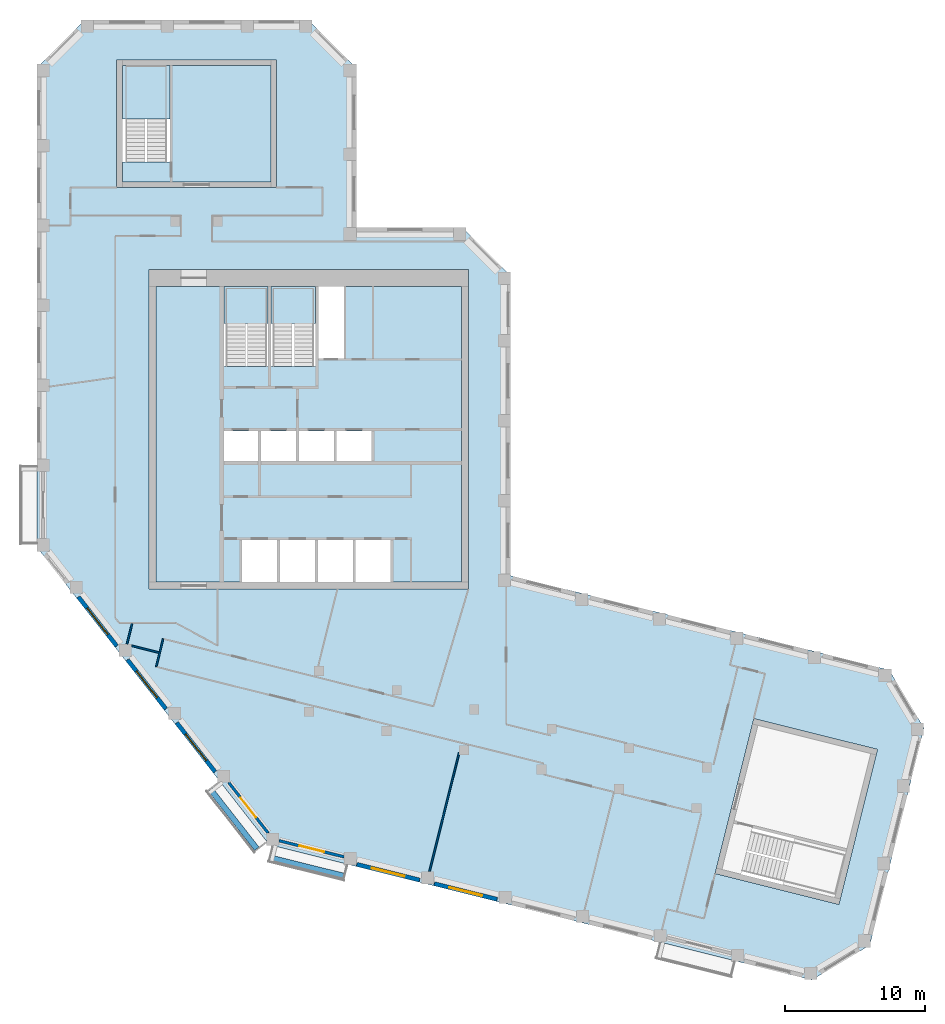
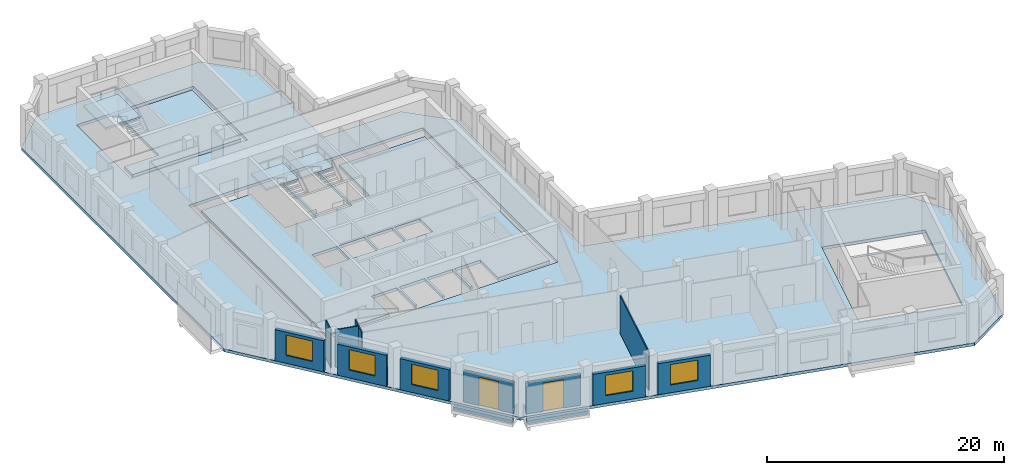
# One storey, part 2 of 8: 13 walls, 6 slabs, 5 windows, 2 doors, 7 openings, 3 elements without a shape of their own.
"""IFC4 building model written with IfcOpenShell, lengths in metres."""

from ifc_helpers import new_model, si_unit, direction, frame, frame_2d, origin, place, context, subcontext, project, spatial, polyline, rectangle, outline, extrude, material, layer, layer_set, type_object, element, fill, aggregate, save


model = new_model("IFC4")

# Units and contexts
model_context = context("Model", 3, precision=1e-05, world=origin(), true_north=direction((0.0, 1.0)))
body_context = subcontext(model_context, "Body", "Model", "MODEL_VIEW")
ifc_project = project(units=[si_unit("LENGTHUNIT", "METRE"), si_unit("AREAUNIT", "SQUARE_METRE"), si_unit("VOLUMEUNIT", "CUBIC_METRE"), si_unit("PLANEANGLEUNIT", "RADIAN"), si_unit("MASSUNIT", "GRAM", prefix="KILO")], contexts=[model_context])

# Site, building, storey
site_placement = place(None, origin())
site = spatial("IfcSite", under=ifc_project, at=site_placement, CompositionType="ELEMENT")
building_placement = place(site_placement, origin())
building = spatial("IfcBuilding", under=site, at=building_placement, Name="Meshkara Civic Tower", CompositionType="ELEMENT")
storey_placement = place(building_placement, frame((0.0, 0.0, 362.39990234375)))
storey = spatial("IfcBuildingStorey", under=building, at=storey_placement, Name="L83", CompositionType="ELEMENT", Elevation=362.39990234375)

# Slabs
ifc_material_1 = material(Name="Concrete C40/50", Category="concrete")
ifc_layer_1 = layer(ifc_material_1, 0.300048828125)
ifc_layer_set_1 = layer_set([ifc_layer_1], Name="Core floor slab 300 C40/50")
slab_type_1 = type_object("IfcSlabType", Name="Core floor slab 300 C40/50", PredefinedType="FLOOR", material=ifc_layer_set_1)
slab_1_placement = place(storey_placement, frame((0.0, 0.0, -0.2998046875)))
element("IfcSlab", 1, at=slab_1_placement, inside=storey, type_object=slab_type_1, Name="Core floor K", PredefinedType="FLOOR", context=body_context, shape_type="SweptSolid", body=[
    extrude(outline(polyline([(8.5, 35.699951171875), (13.35009765625, 35.699951171875), (13.35009765625, 30.00146484375), (16.5, 30.00146484375), (16.5, 35.699951171875), (16.699951171875, 35.699951171875), (16.699951171875, 30.00146484375), (19.89990234375, 30.00146484375), (19.89990234375, 35.699951171875), (20.10009765625, 35.699951171875), (20.10009765625, 30.574951171875), (21.925048828125, 30.574951171875), (21.925048828125, 35.699951171875), (30.300048828125, 35.699951171875), (30.300048828125, 14.60009765625), (25.25, 14.60009765625), (25.25, 17.60009765625), (22.75, 17.60009765625), (22.75, 14.60009765625), (22.550048828125, 14.60009765625), (22.550048828125, 17.60009765625), (20.050048828125, 17.60009765625), (20.050048828125, 14.60009765625), (19.85009765625, 14.60009765625), (19.85009765625, 17.60009765625), (17.35009765625, 17.60009765625), (17.35009765625, 14.60009765625), (17.14990234375, 14.60009765625), (17.14990234375, 17.60009765625), (14.64990234375, 17.60009765625), (14.64990234375, 14.60009765625), (8.5, 14.60009765625), (8.5, 35.699951171875)]), holes=[polyline([(13.35009765625, 23.25), (15.800048828125, 23.25), (15.800048828125, 25.39990234375), (13.35009765625, 25.39990234375), (13.35009765625, 23.25)]), polyline([(18.5, 23.25), (18.5, 25.39990234375), (16.0, 25.39990234375), (16.0, 23.25), (18.5, 23.25)]), polyline([(18.699951171875, 23.25), (21.199951171875, 23.25), (21.199951171875, 25.39990234375), (18.699951171875, 25.39990234375), (18.699951171875, 23.25)]), polyline([(23.89990234375, 23.25), (23.89990234375, 25.39990234375), (21.39990234375, 25.39990234375), (21.39990234375, 23.25), (23.89990234375, 23.25)])]), origin(), (0.0, 0.0, 1.0), 0.2998046875),
])
slab_2_placement = place(storey_placement, frame((0.0, 0.0, -0.2998046875)))
element("IfcSlab", 2, at=slab_2_placement, inside=storey, type_object=slab_type_1, Name="Core floor EA", PredefinedType="FLOOR", context=body_context, shape_type="SweptSolid", body=[
    extrude(outline(polyline([(16.699951171875, 43.169921875), (16.699951171875, 51.469970703125), (9.5, 51.469970703125), (9.5, 44.571533203125), (6.10009765625, 44.571533203125), (6.10009765625, 43.169921875), (16.699951171875, 43.169921875)])), origin(), (0.0, 0.0, 1.0), 0.2998046875),
])

# Stair, slab
ifc_material_2 = material(Name="Precast concrete C40/50", Category="concrete")
stair_type = type_object("IfcStairType", Name="Exit stair half-turn 24 risers precast", PredefinedType="HALF_TURN_STAIR", material=ifc_material_2)
stair_1_placement = place(storey_placement, origin())
stair_1 = element("IfcStair", 3, at=stair_1_placement, inside=storey, type_object=stair_type, Name="L83 exit stair 1", PredefinedType="HALF_TURN_STAIR")
ifc_material_3 = material(Name="Precast concrete C40/50", Category="concrete")
ifc_layer_2 = layer(ifc_material_3, 0.199951171875)
ifc_layer_set_2 = layer_set([ifc_layer_2], Name="Exit stair landing 200")
slab_type_2 = type_object("IfcSlabType", Name="Exit stair landing 200", PredefinedType="LANDING", material=ifc_layer_set_2)
slab_3_placement = place(storey_placement, frame((0.0, 0.0, 1.900146484375)))
slab_3 = element("IfcSlab", 4, at=slab_3_placement, type_object=slab_type_2, Name="ST1 landing 1", PredefinedType="LANDING", context=body_context, shape_type="SweptSolid", body=[
    extrude(outline(polyline([(16.5, 33.07861328125), (16.5, 35.699951171875), (13.35009765625, 35.699951171875), (13.35009765625, 33.07861328125), (16.5, 33.07861328125)])), origin(), (0.0, 0.0, 1.0), 0.199951171875),
])
aggregate(stair_1, [slab_3])

stair_2_placement = place(storey_placement, origin())
stair_2 = element("IfcStair", 5, at=stair_2_placement, inside=storey, type_object=stair_type, Name="L83 exit stair 2", PredefinedType="HALF_TURN_STAIR")
slab_4_placement = place(storey_placement, frame((0.0, 0.0, 1.900146484375)))
slab_4 = element("IfcSlab", 6, at=slab_4_placement, type_object=slab_type_2, Name="ST2 landing 1", PredefinedType="LANDING", context=body_context, shape_type="SweptSolid", body=[
    extrude(outline(polyline([(19.89990234375, 33.07861328125), (19.89990234375, 35.699951171875), (16.699951171875, 35.699951171875), (16.699951171875, 33.07861328125), (19.89990234375, 33.07861328125)])), origin(), (0.0, 0.0, 1.0), 0.199951171875),
])
aggregate(stair_2, [slab_4])

stair_3_placement = place(storey_placement, origin())
stair_3 = element("IfcStair", 7, at=stair_3_placement, inside=storey, type_object=stair_type, Name="L83 exit stair A from L80", PredefinedType="HALF_TURN_STAIR")
slab_5_placement = place(storey_placement, frame((0.0, 0.0, 1.900146484375)))
slab_5 = element("IfcSlab", 8, at=slab_5_placement, type_object=slab_type_2, Name="ESA6 landing 1", PredefinedType="LANDING", context=body_context, shape_type="SweptSolid", body=[
    extrude(outline(polyline([(9.5, 47.6484375), (9.5, 51.469970703125), (6.10009765625, 51.469970703125), (6.10009765625, 47.6484375), (9.5, 47.6484375)])), origin(), (0.0, 0.0, 1.0), 0.199951171875),
])
aggregate(stair_3, [slab_5])

# Slab
ifc_material_4 = material(Name="Concrete C50", Category="concrete")
ifc_layer_3 = layer(ifc_material_4, 0.300048828125)
ifc_layer_set_3 = layer_set([ifc_layer_3], Name="Post-tensioned flat slab 300 C50")
slab_type_3 = type_object("IfcSlabType", Name="Post-tensioned flat slab 300 C50", PredefinedType="FLOOR", material=ifc_layer_set_3)
slab_6_placement = place(storey_placement, frame((0.0, 0.0, -0.2998046875)))
element("IfcSlab", 9, at=slab_6_placement, inside=storey, type_object=slab_type_3, Name="Post-tensioned flat slab L83", PredefinedType="FLOOR", context=body_context, shape_type="SweptSolid", body=[
    extrude(outline(polyline([(59.452880859375, -11.299072265625), (55.306884765625, -13.7900390625), (16.592041015625, -4.136962890625), (0.0, 17.10009765625), (0.0, 51.300048828125), (3.419921875, 54.719970703125), (19.3798828125, 54.719970703125), (22.800048828125, 51.300048828125), (22.800048828125, 39.89990234375), (30.3798828125, 39.89990234375), (33.800048828125, 36.47998046875), (33.800048828125, 15.071044921875), (60.822998046875, 8.3330078125), (63.31396484375, 4.18701171875), (59.452880859375, -11.299072265625)]), holes=[polyline([(57.239013671875, -8.39697265625), (59.9970703125, 2.6650390625), (51.1669921875, 4.865966796875), (48.408935546875, -6.195068359375), (57.239013671875, -8.39697265625)]), polyline([(8.0, 14.10009765625), (30.800048828125, 14.10009765625), (30.800048828125, 36.89990234375), (8.0, 36.89990234375), (8.0, 14.10009765625)]), polyline([(5.699951171875, 51.8701171875), (5.699951171875, 42.77001953125), (17.10009765625, 42.77001953125), (17.10009765625, 51.8701171875), (5.699951171875, 51.8701171875)])]), origin(), (0.0, 0.0, 1.0), 0.2998046875),
])

# Wall
ifc_material_5 = material(Name="Corridor wall 100")
ifc_layer_4 = layer(ifc_material_5, 0.10009765625)
ifc_layer_set_4 = layer_set([ifc_layer_4], Name="Corridor wall 100")
wall_type_1 = type_object("IfcWallType", Name="Corridor wall 100", PredefinedType="PARTITIONING", material=ifc_layer_set_4)
wall_1_placement = place(storey_placement, frame((9.01708984375, 10.55810546875, 0.0), z_axis=(0.0, 0.0, 1.0), x_axis=(-0.241751728323, -0.970338137895, 0.0)))
element("IfcWall", 10, at=wall_1_placement, inside=storey, type_object=wall_type_1, Name="L83-W009", PredefinedType="PARTITIONING", context=body_context, shape_type="SweptSolid", body=[
    extrude(rectangle(XDim=2.052001953125, YDim=0.10009765625, at=frame_2d((1.02587890625, 0.0))), origin(), (0.0, 0.0, 1.0), 3.900146484375),
])

# Wall, opening, window
ifc_material_6 = material(Name="Insulated infill panel with bronze anodised aluminium cladding", Category="aluminium")
ifc_layer_5 = layer(ifc_material_6, 0.300048828125)
ifc_layer_set_5 = layer_set([ifc_layer_5], Name="EXTERNAL INFILL WALL 300")
wall_type_2 = type_object("IfcWallType", Name="EXTERNAL INFILL WALL 300", PredefinedType="SOLIDWALL", material=ifc_layer_set_5)
wall_2_placement = place(storey_placement, frame((2.967041015625, 13.547119140625, 0.0), z_axis=(0.0, 0.0, 1.0), x_axis=(0.615486001463, -0.788147817356, 0.0)))
wall_2 = element("IfcWall", 11, at=wall_2_placement, inside=storey, type_object=wall_type_2, Name="External wall", PredefinedType="SOLIDWALL", context=body_context, shape_type="SweptSolid", body=[
    extrude(rectangle(XDim=4.43701171875, YDim=0.300048828125, at=frame_2d((2.218505859375, 0.0))), origin(), (0.0, 0.0, 1.0), 3.2001953125),
])
opening_1_placement = place(wall_2_placement, frame((1.01806640625, 0.0, 0.800048828125)))
opening_1 = element("IfcOpeningElement", 12, at=opening_1_placement, cuts=wall_2, Name="Opening W7", PredefinedType="OPENING", context=body_context, shape_type="SweptSolid", body=[
    extrude(rectangle(XDim=2.39990234375, YDim=2.10009765625, at=frame_2d((1.199951171875, 1.050048828125))), frame((0.0, 0.159912109375, 0.0), z_axis=(0.0, -1.0, 0.0), x_axis=(1.0, 0.0, 0.0)), (0.0, 0.0, 1.0), 0.320068359375),
])
ifc_material_7 = material(Name="Tinted double glazing", Category="glass")
window_type = type_object("IfcWindowType", Name="WINDOW 2400x2100", PartitioningType="DOUBLE_PANEL_VERTICAL", PredefinedType="WINDOW", material=ifc_material_7)
window_1_placement = place(opening_1_placement, origin())
window_1 = element("IfcWindow", 13, at=window_1_placement, inside=storey, type_object=window_type, Name="Window", OverallHeight=2.10009765625, OverallWidth=2.39990234375, PartitioningType="DOUBLE_PANEL_VERTICAL", PredefinedType="WINDOW", context=body_context, shape_type="SweptSolid", body=[
    extrude(rectangle(XDim=2.39990234375, YDim=2.10009765625, at=frame_2d((1.199951171875, 1.050048828125))), frame((0.0, 0.030029296875, 0.0), z_axis=(0.0, -1.0, 0.0), x_axis=(1.0, 0.0, 0.0)), (0.0, 0.0, 1.0), 0.06005859375),
])
fill(opening_1, window_1)

wall_3_placement = place(storey_placement, frame((6.47607421875, 9.054931640625, 0.0), z_axis=(0.0, 0.0, 1.0), x_axis=(0.615649380255, -0.788020203162, 0.0)))
wall_3 = element("IfcWall", 14, at=wall_3_placement, inside=storey, type_object=wall_type_2, Name="External wall", PredefinedType="SOLIDWALL", context=body_context, shape_type="SweptSolid", body=[
    extrude(rectangle(XDim=4.4375, YDim=0.300048828125, at=frame_2d((2.21875, 0.0))), origin(), (0.0, 0.0, 1.0), 3.2001953125),
])
opening_2_placement = place(wall_3_placement, frame((1.01904296875, 0.0, 0.800048828125)))
opening_2 = element("IfcOpeningElement", 15, at=opening_2_placement, cuts=wall_3, Name="Opening W7", PredefinedType="OPENING", context=body_context, shape_type="SweptSolid", body=[
    extrude(rectangle(XDim=2.39990234375, YDim=2.10009765625, at=frame_2d((1.199951171875, 1.050048828125))), frame((0.0, 0.159912109375, 0.0), z_axis=(0.0, -1.0, 0.0), x_axis=(1.0, 0.0, 0.0)), (0.0, 0.0, 1.0), 0.320068359375),
])
window_2_placement = place(opening_2_placement, origin())
window_2 = element("IfcWindow", 16, at=window_2_placement, inside=storey, type_object=window_type, Name="Window", OverallHeight=2.10009765625, OverallWidth=2.39990234375, PartitioningType="DOUBLE_PANEL_VERTICAL", PredefinedType="WINDOW", context=body_context, shape_type="SweptSolid", body=[
    extrude(rectangle(XDim=2.39990234375, YDim=2.10009765625, at=frame_2d((1.199951171875, 1.050048828125))), frame((0.0, 0.030029296875, 0.0), z_axis=(0.0, -1.0, 0.0), x_axis=(1.0, 0.0, 0.0)), (0.0, 0.0, 1.0), 0.06005859375),
])
fill(opening_2, window_2)

wall_4_placement = place(storey_placement, frame((9.986083984375, 4.56298828125, 0.0), z_axis=(0.0, 0.0, 1.0), x_axis=(0.615592779411, -0.788064419915, 0.0)))
wall_4 = element("IfcWall", 17, at=wall_4_placement, inside=storey, type_object=wall_type_2, Name="External wall", PredefinedType="SOLIDWALL", context=body_context, shape_type="SweptSolid", body=[
    extrude(rectangle(XDim=4.436279296875, YDim=0.300048828125, at=frame_2d((2.21826171875, 0.0))), origin(), (0.0, 0.0, 1.0), 3.2001953125),
])
opening_3_placement = place(wall_4_placement, frame((1.01806640625, 0.0, 0.800048828125)))
opening_3 = element("IfcOpeningElement", 18, at=opening_3_placement, cuts=wall_4, Name="Opening W7", PredefinedType="OPENING", context=body_context, shape_type="SweptSolid", body=[
    extrude(rectangle(XDim=2.39990234375, YDim=2.10009765625, at=frame_2d((1.199951171875, 1.050048828125))), frame((0.0, 0.159912109375, 0.0), z_axis=(0.0, -1.0, 0.0), x_axis=(1.0, 0.0, 0.0)), (0.0, 0.0, 1.0), 0.320068359375),
])
window_3_placement = place(opening_3_placement, origin())
window_3 = element("IfcWindow", 19, at=window_3_placement, inside=storey, type_object=window_type, Name="Window", OverallHeight=2.10009765625, OverallWidth=2.39990234375, PartitioningType="DOUBLE_PANEL_VERTICAL", PredefinedType="WINDOW", context=body_context, shape_type="SweptSolid", body=[
    extrude(rectangle(XDim=2.39990234375, YDim=2.10009765625, at=frame_2d((1.199951171875, 1.050048828125))), frame((0.0, 0.030029296875, 0.0), z_axis=(0.0, -1.0, 0.0), x_axis=(1.0, 0.0, 0.0)), (0.0, 0.0, 1.0), 0.06005859375),
])
fill(opening_3, window_3)

wall_5_placement = place(storey_placement, frame((22.839111328125, -5.5400390625, 0.0), z_axis=(0.0, 0.0, 1.0), x_axis=(0.970282587769, -0.241974585177, 0.0)))
wall_5 = element("IfcWall", 20, at=wall_5_placement, inside=storey, type_object=wall_type_2, Name="External wall", PredefinedType="SOLIDWALL", context=body_context, shape_type="SweptSolid", body=[
    extrude(rectangle(XDim=4.60791015625, YDim=0.300048828125, at=frame_2d((2.303955078125, 0.0))), origin(), (0.0, 0.0, 1.0), 3.2001953125),
])
opening_4_placement = place(wall_5_placement, frame((1.10400390625, 0.0, 0.800048828125)))
opening_4 = element("IfcOpeningElement", 21, at=opening_4_placement, cuts=wall_5, Name="Opening W7", PredefinedType="OPENING", context=body_context, shape_type="SweptSolid", body=[
    extrude(rectangle(XDim=2.39990234375, YDim=2.10009765625, at=frame_2d((1.199951171875, 1.050048828125))), frame((0.0, 0.159912109375, 0.0), z_axis=(0.0, -1.0, 0.0), x_axis=(1.0, 0.0, 0.0)), (0.0, 0.0, 1.0), 0.320068359375),
])
window_4_placement = place(opening_4_placement, origin())
window_4 = element("IfcWindow", 22, at=window_4_placement, inside=storey, type_object=window_type, Name="Window", OverallHeight=2.10009765625, OverallWidth=2.39990234375, PartitioningType="DOUBLE_PANEL_VERTICAL", PredefinedType="WINDOW", context=body_context, shape_type="SweptSolid", body=[
    extrude(rectangle(XDim=2.39990234375, YDim=2.10009765625, at=frame_2d((1.199951171875, 1.050048828125))), frame((0.0, 0.030029296875, 0.0), z_axis=(0.0, -1.0, 0.0), x_axis=(1.0, 0.0, 0.0)), (0.0, 0.0, 1.0), 0.06005859375),
])
fill(opening_4, window_4)

wall_6_placement = place(storey_placement, frame((28.368896484375, -6.9189453125, 0.0), z_axis=(0.0, 0.0, 1.0), x_axis=(0.970298093093, -0.241912402618, 0.0)))
wall_6 = element("IfcWall", 23, at=wall_6_placement, inside=storey, type_object=wall_type_2, Name="External wall", PredefinedType="SOLIDWALL", context=body_context, shape_type="SweptSolid", body=[
    extrude(rectangle(XDim=4.609130859375, YDim=0.300048828125, at=frame_2d((2.3046875, 0.0))), origin(), (0.0, 0.0, 1.0), 3.2001953125),
])
opening_5_placement = place(wall_6_placement, frame((1.10498046875, 0.0, 0.800048828125)))
opening_5 = element("IfcOpeningElement", 24, at=opening_5_placement, cuts=wall_6, Name="Opening W7", PredefinedType="OPENING", context=body_context, shape_type="SweptSolid", body=[
    extrude(rectangle(XDim=2.39990234375, YDim=2.10009765625, at=frame_2d((1.199951171875, 1.050048828125))), frame((0.0, 0.159912109375, 0.0), z_axis=(0.0, -1.0, 0.0), x_axis=(1.0, 0.0, 0.0)), (0.0, 0.0, 1.0), 0.320068359375),
])
window_5_placement = place(opening_5_placement, origin())
window_5 = element("IfcWindow", 25, at=window_5_placement, inside=storey, type_object=window_type, Name="Window", OverallHeight=2.10009765625, OverallWidth=2.39990234375, PartitioningType="DOUBLE_PANEL_VERTICAL", PredefinedType="WINDOW", context=body_context, shape_type="SweptSolid", body=[
    extrude(rectangle(XDim=2.39990234375, YDim=2.10009765625, at=frame_2d((1.199951171875, 1.050048828125))), frame((0.0, 0.030029296875, 0.0), z_axis=(0.0, -1.0, 0.0), x_axis=(1.0, 0.0, 0.0)), (0.0, 0.0, 1.0), 0.06005859375),
])
fill(opening_5, window_5)

# Wall, opening, door
ifc_material_8 = material(Name="Insulated infill panel with bronze anodised aluminium cladding", Category="aluminium")
ifc_layer_6 = layer(ifc_material_8, 0.199951171875)
ifc_layer_set_6 = layer_set([ifc_layer_6], Name="LOGGIA BACK WALL 200")
wall_type_3 = type_object("IfcWallType", Name="LOGGIA BACK WALL 200", PredefinedType="SOLIDWALL", material=ifc_layer_set_6)
wall_7_placement = place(storey_placement, frame((13.694091796875, 0.303955078125, 0.0), z_axis=(0.0, 0.0, 1.0), x_axis=(0.615460024179, -0.788168103033, 0.0)))
wall_7 = element("IfcWall", 26, at=wall_7_placement, inside=storey, type_object=wall_type_3, Name="Loggia wall", PredefinedType="SOLIDWALL", context=body_context, shape_type="SweptSolid", body=[
    extrude(rectangle(XDim=4.557373046875, YDim=0.199951171875, at=frame_2d((2.27880859375, 0.0))), origin(), (0.0, 0.0, 1.0), 3.2001953125),
])
opening_6_placement = place(wall_7_placement, frame((1.37890625, 0.0, 0.0)))
opening_6 = element("IfcOpeningElement", 27, at=opening_6_placement, cuts=wall_7, Name="Opening L83-L002", PredefinedType="OPENING", context=body_context, shape_type="SweptSolid", body=[
    extrude(rectangle(XDim=1.800048828125, YDim=2.89990234375, at=frame_2d((0.89990234375, 1.449951171875))), frame((0.0, 0.10986328125, 0.0), z_axis=(0.0, -1.0, 0.0), x_axis=(1.0, 0.0, 0.0)), (0.0, 0.0, 1.0), 0.219970703125),
])
ifc_material_9 = material(Name="Tinted double glazing", Category="glass")
door_type = type_object("IfcDoorType", Name="LOGGIA DOOR 1800x2900", OperationType="DOUBLE_DOOR_SINGLE_SWING", PredefinedType="DOOR", material=ifc_material_9)
door_1_placement = place(opening_6_placement, origin())
door_1 = element("IfcDoor", 28, at=door_1_placement, inside=storey, type_object=door_type, Name="L83-L002", OperationType="DOUBLE_DOOR_SINGLE_SWING", OverallHeight=2.89990234375, OverallWidth=1.800048828125, PredefinedType="DOOR", context=body_context, shape_type="SweptSolid", body=[
    extrude(rectangle(XDim=1.800048828125, YDim=2.89990234375, at=frame_2d((0.89990234375, 1.449951171875))), frame((0.0, 0.02490234375, 0.0), z_axis=(0.0, -1.0, 0.0), x_axis=(1.0, 0.0, 0.0)), (0.0, 0.0, 1.0), 0.050048828125),
])
fill(opening_6, door_1)

wall_8_placement = place(storey_placement, frame((17.301025390625, -3.85009765625, 0.0), z_axis=(0.0, 0.0, 1.0), x_axis=(0.970286762598, -0.241957844111, 0.0)))
wall_8 = element("IfcWall", 29, at=wall_8_placement, inside=storey, type_object=wall_type_3, Name="Loggia wall", PredefinedType="SOLIDWALL", context=body_context, shape_type="SweptSolid", body=[
    extrude(rectangle(XDim=4.772705078125, YDim=0.199951171875, at=frame_2d((2.38623046875, 0.0))), origin(), (0.0, 0.0, 1.0), 3.2001953125),
])
opening_7_placement = place(wall_8_placement, frame((1.486083984375, 0.0, 0.0)))
opening_7 = element("IfcOpeningElement", 30, at=opening_7_placement, cuts=wall_8, Name="Opening L83-L003", PredefinedType="OPENING", context=body_context, shape_type="SweptSolid", body=[
    extrude(rectangle(XDim=1.800048828125, YDim=2.89990234375, at=frame_2d((0.89990234375, 1.449951171875))), frame((0.0, 0.10986328125, 0.0), z_axis=(0.0, -1.0, 0.0), x_axis=(1.0, 0.0, 0.0)), (0.0, 0.0, 1.0), 0.219970703125),
])
door_2_placement = place(opening_7_placement, origin())
door_2 = element("IfcDoor", 31, at=door_2_placement, inside=storey, type_object=door_type, Name="L83-L003", OperationType="DOUBLE_DOOR_SINGLE_SWING", OverallHeight=2.89990234375, OverallWidth=1.800048828125, PredefinedType="DOOR", context=body_context, shape_type="SweptSolid", body=[
    extrude(rectangle(XDim=1.800048828125, YDim=2.89990234375, at=frame_2d((0.89990234375, 1.449951171875))), frame((0.0, 0.02490234375, 0.0), z_axis=(0.0, -1.0, 0.0), x_axis=(1.0, 0.0, 0.0)), (0.0, 0.0, 1.0), 0.050048828125),
])
fill(opening_7, door_2)

# Walls
ifc_material_10 = material(Name="Concrete C40", Category="concrete")
ifc_layer_7 = layer(ifc_material_10, 0.39990234375)
ifc_layer_set_7 = layer_set([ifc_layer_7], Name="PLANTER TRAY")
wall_type_4 = type_object("IfcWallType", Name="PLANTER TRAY", PredefinedType="SOLIDWALL", material=ifc_layer_set_7)
wall_9_placement = place(storey_placement, frame((12.39794921875, -0.198974609375, 0.0), z_axis=(0.0, 0.0, 1.0), x_axis=(0.615638738903, -0.788028516719, 0.0)))
element("IfcWall", 32, at=wall_9_placement, inside=storey, type_object=wall_type_4, Name="Planter", PredefinedType="SOLIDWALL", context=body_context, shape_type="SweptSolid", body=[
    extrude(rectangle(XDim=5.3603515625, YDim=0.39990234375, at=frame_2d((2.68017578125, 0.0))), origin(), (0.0, 0.0, 1.0), 0.300048828125),
])
wall_10_placement = place(storey_placement, frame((16.694091796875, -5.069091796875, 0.0), z_axis=(0.0, 0.0, 1.0), x_axis=(0.970289679319, -0.241946147329, 0.0)))
element("IfcWall", 33, at=wall_10_placement, inside=storey, type_object=wall_type_4, Name="Planter", PredefinedType="SOLIDWALL", context=body_context, shape_type="SweptSolid", body=[
    extrude(rectangle(XDim=5.360107421875, YDim=0.39990234375, at=frame_2d((2.68017578125, 0.0))), origin(), (0.0, 0.0, 1.0), 0.300048828125),
])
ifc_material_11 = material(Name="Partition 100")
ifc_layer_8 = layer(ifc_material_11, 0.10009765625)
ifc_layer_set_8 = layer_set([ifc_layer_8], Name="Partition 100")
wall_type_5 = type_object("IfcWallType", Name="Partition 100", PredefinedType="PARTITIONING", material=ifc_layer_set_8)
wall_11_placement = place(storey_placement, frame((6.797119140625, 11.637939453125, 0.0), z_axis=(0.0, 0.0, 1.0), x_axis=(-0.242113049408, -0.970248046278, 0.0)))
element("IfcWall", 34, at=wall_11_placement, inside=storey, type_object=wall_type_5, Name="L83-W035", PredefinedType="PARTITIONING", context=body_context, shape_type="SweptSolid", body=[
    extrude(rectangle(XDim=1.495361328125, YDim=0.10009765625, at=frame_2d((0.74755859375, 0.0))), origin(), (0.0, 0.0, 1.0), 3.900146484375),
])
wall_12_placement = place(storey_placement, frame((8.719970703125, 9.573974609375, 0.0), z_axis=(0.0, 0.0, 1.0), x_axis=(-0.970221168815, 0.24222073318, 0.0)))
element("IfcWall", 35, at=wall_12_placement, inside=storey, type_object=wall_type_5, Name="L83-W036", PredefinedType="PARTITIONING", context=body_context, shape_type="SweptSolid", body=[
    extrude(rectangle(XDim=2.0068359375, YDim=0.10009765625, at=frame_2d((1.00341796875, 0.0))), origin(), (0.0, 0.0, 1.0), 3.900146484375),
])
wall_13_placement = place(storey_placement, frame((28.02587890625, -6.0458984375, 0.0), z_axis=(0.0, 0.0, 1.0), x_axis=(0.241850505633, 0.970313523004, 0.0)))
element("IfcWall", 36, at=wall_13_placement, inside=storey, type_object=wall_type_5, Name="L83-W038", PredefinedType="PARTITIONING", context=body_context, shape_type="SweptSolid", body=[
    extrude(rectangle(XDim=8.720703125, YDim=0.10009765625, at=frame_2d((4.3603515625, 0.0))), origin(), (0.0, 0.0, 1.0), 3.900146484375),
])

save(model, "model.ifc")
